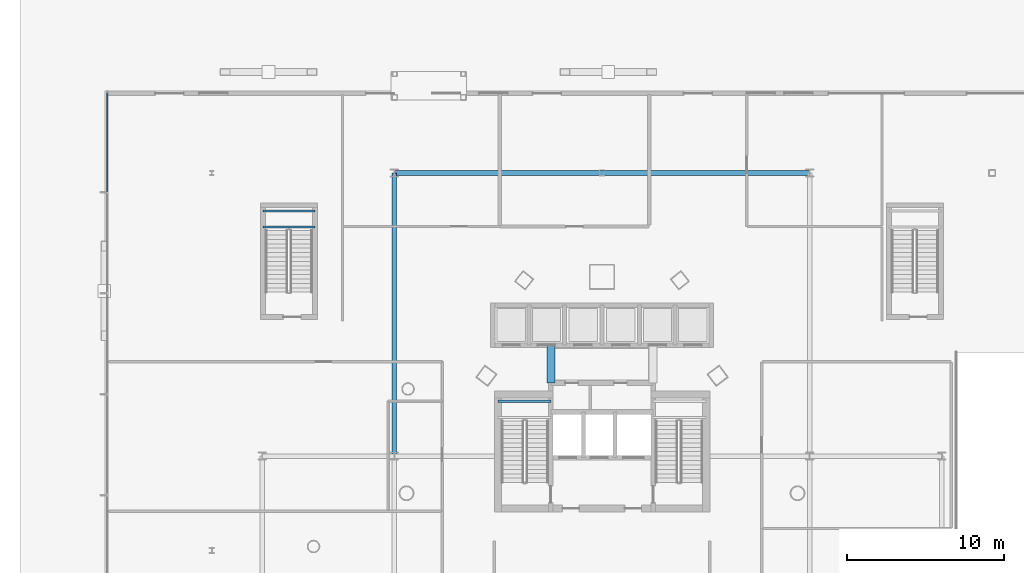
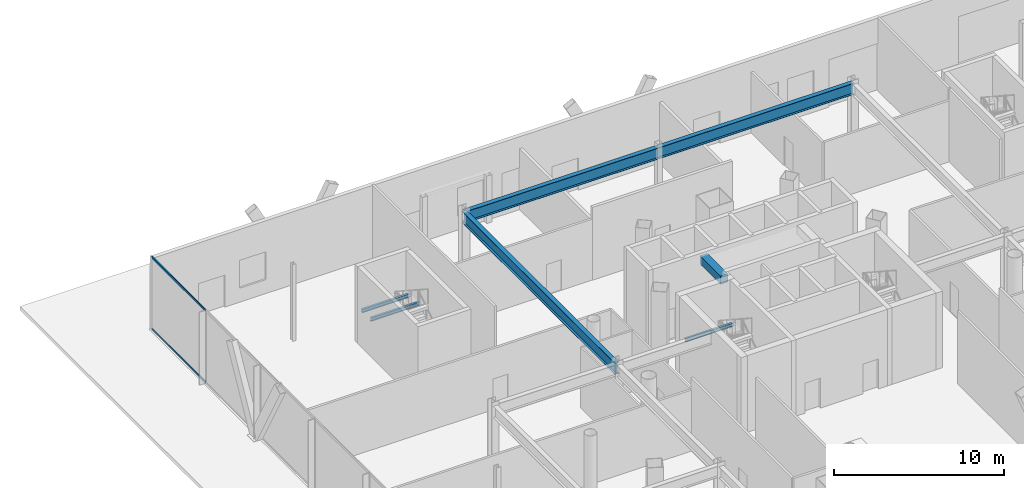
# One storey, part 19 of 38: 6 beams, 2 members, 1 element without a shape of its own.
"""IFC4 building model written with IfcOpenShell, lengths in metres."""

import ifcopenshell
import ifcopenshell.guid

model = None  # the IFC model being written
_history = None  # IfcOwnerHistory: only IFC2X3 demands one
_inside = {}  # id of a spatial element -> (the spatial element, [elements in it])
_under = {}  # id of a project, library or spatial element -> (it, [spatial elements below it])
_declared = {}  # id of a project -> (the project, [libraries it declares])
_typed = {}  # id of a type object -> (the type object, [elements of that type])
_made_of = {}  # id of a material, layer set ... -> (it, [elements and type objects made of it])


def new_model(schema):
    """Start an empty IFC model of exactly this schema.

    Asked for "IFC4X3", IfcOpenShell would pick the latest addendum, in which some entities
    have other attributes; the version numbers below select the first issue.
    IFC2X3 requires an IfcOwnerHistory on every rooted entity: one is made here for all.
    """
    global model, _history
    if schema == "IFC4X3":
        model = ifcopenshell.file(schema_version=(4, 3, 0, 0))
    else:
        model = ifcopenshell.file(schema=schema)
    _inside.clear()
    _under.clear()
    _declared.clear()
    _typed.clear()
    _made_of.clear()
    _history = None
    if model.schema == "IFC2X3":
        org = make("IfcOrganization", Name="unknown")
        user = make(
            "IfcPersonAndOrganization",
            ThePerson=make("IfcPerson", FamilyName="unknown"),
            TheOrganization=org,
        )
        app = make(
            "IfcApplication",
            ApplicationDeveloper=org,
            Version="unknown",
            ApplicationFullName="unknown",
            ApplicationIdentifier="unknown",
        )
        _history = make(
            "IfcOwnerHistory",
            OwningUser=user,
            OwningApplication=app,
            ChangeAction="ADDED",
            CreationDate=0,
        )
    return model


def make(cls, **values):
    """One entity of the class cls with the attributes given. An attribute that is None is left unset."""
    return model.create_entity(
        cls, **{name: value for name, value in values.items() if value is not None}
    )


def rooted(cls, **values):
    """An entity with a GlobalId (a new one), such as an element, a storey or a relation."""
    return make(cls, GlobalId=ifcopenshell.guid.new(), OwnerHistory=_history, **values)


def si_unit(unit_type, name, prefix=None):
    """IfcSIUnit, for example si_unit("LENGTHUNIT", "METRE", prefix="MILLI")."""
    return make("IfcSIUnit", UnitType=unit_type, Prefix=prefix, Name=name)


def assignment(units):
    """IfcUnitAssignment: the units of a project."""
    return None if units is None else make("IfcUnitAssignment", Units=units)


def point(xyz):
    """IfcCartesianPoint."""
    return None if xyz is None else make("IfcCartesianPoint", Coordinates=xyz)


def direction(xyz):
    """IfcDirection."""
    return None if xyz is None else make("IfcDirection", DirectionRatios=xyz)


def frame(location, z_axis=None, x_axis=None):
    """IfcAxis2Placement3D, a coordinate frame: its origin and axes. An axis left out is left unset."""
    return make(
        "IfcAxis2Placement3D",
        Location=point(location),
        Axis=direction(z_axis),
        RefDirection=direction(x_axis),
    )


def frame_2d(location, x_axis=None):
    """IfcAxis2Placement2D, a coordinate frame in the plane: its origin and x axis."""
    return make(
        "IfcAxis2Placement2D", Location=point(location), RefDirection=direction(x_axis)
    )


def origin():
    """The frame at (0, 0, 0) with its axes left unset."""
    return frame((0.0, 0.0, 0.0))


def origin_2d():
    """The frame at (0, 0) in the plane with its x axis left unset."""
    return frame_2d((0.0, 0.0))


def place(relative_to, where):
    """IfcLocalPlacement: puts the frame where relative to a parent placement (None: the world)."""
    return make(
        "IfcLocalPlacement", PlacementRelTo=relative_to, RelativePlacement=where
    )


def context(
    kind, dimensions, precision=None, world=None, true_north=None, identifier=None
):
    """IfcGeometricRepresentationContext, for example the 3D "Model" context."""
    return make(
        "IfcGeometricRepresentationContext",
        ContextIdentifier=identifier,
        ContextType=kind,
        CoordinateSpaceDimension=dimensions,
        Precision=precision,
        WorldCoordinateSystem=world,
        TrueNorth=true_north,
    )


def subcontext(parent, identifier, kind, view, scale=None):
    """IfcGeometricRepresentationSubContext, for example "Body" below "Model"."""
    return make(
        "IfcGeometricRepresentationSubContext",
        ContextIdentifier=identifier,
        ContextType=kind,
        ParentContext=parent,
        TargetScale=scale,
        TargetView=view,
    )


def project(units=None, contexts=None):
    """IfcProject with its units and contexts."""
    return rooted(
        "IfcProject",
        Name="project",
        RepresentationContexts=contexts,
        UnitsInContext=assignment(units),
    )


def spatial(cls, under=None, at=None, **own):
    """A site, building, storey or space (cls), placed at a placement, below another one or the project."""
    s = rooted(cls, ObjectPlacement=at, **own)
    if under is not None:
        _under.setdefault(under.id(), (under, []))[1].append(s)
    return s


def profile(cls, at=None, kind="AREA", **sizes):
    """A parametric profile (cls). Its sizes go by their IFC names, for example OverallWidth=200.0."""
    return make(cls, ProfileType=kind, Position=at, **sizes)


def rectangle(**sizes):
    """IfcRectangleProfileDef."""
    return profile("IfcRectangleProfileDef", **sizes)


def hollow_rectangle(**sizes):
    """IfcRectangleHollowProfileDef."""
    return profile("IfcRectangleHollowProfileDef", **sizes)


def i_section(**sizes):
    """IfcIShapeProfileDef."""
    return profile("IfcIShapeProfileDef", **sizes)


def extrude(swept, where, along, depth):
    """IfcExtrudedAreaSolid: the profile swept, set in the frame where, extruded along a direction by depth."""
    return make(
        "IfcExtrudedAreaSolid",
        SweptArea=swept,
        Position=where,
        ExtrudedDirection=direction(along),
        Depth=depth,
    )


def shape(context_of_items, identifier, shape_type, items):
    """IfcShapeRepresentation: the items that make up one representation, for example the "Body"."""
    return make(
        "IfcShapeRepresentation",
        ContextOfItems=context_of_items,
        RepresentationIdentifier=identifier,
        RepresentationType=shape_type,
        Items=items,
    )


def material(Name=None, Category=None):
    """IfcMaterial."""
    return make("IfcMaterial", Name=Name, Category=Category)


def layer(
    of_material, thickness, ventilated=None, Name=None, Category=None, Priority=None
):
    """IfcMaterialLayer: one layer of a wall or slab, of a material (None: an air gap)."""
    return make(
        "IfcMaterialLayer",
        Material=of_material,
        LayerThickness=thickness,
        IsVentilated=ventilated,
        Name=Name,
        Category=Category,
        Priority=Priority,
    )


def layer_set(layers, Name=None):
    """IfcMaterialLayerSet."""
    return make("IfcMaterialLayerSet", MaterialLayers=layers, LayerSetName=Name)


def material_profile(
    of_material, cross_section, Name=None, Category=None, Priority=None
):
    """IfcMaterialProfile: a cross section and its material."""
    return make(
        "IfcMaterialProfile",
        Name=Name,
        Material=of_material,
        Profile=cross_section,
        Priority=Priority,
        Category=Category,
    )


def profile_set(profiles, Name=None, composite=None):
    """IfcMaterialProfileSet."""
    return make(
        "IfcMaterialProfileSet",
        Name=Name,
        MaterialProfiles=profiles,
        CompositeProfile=composite,
    )


def made_of(thing, what):
    """Note that an element or type object is made of a material, layer set ...; save() writes the relation."""
    if what is not None:
        _made_of.setdefault(what.id(), (what, []))[1].append(thing)
    return thing


def type_object(cls, material=None, **own):
    """A type object (cls), such as IfcWallType, which elements share."""
    return made_of(rooted(cls, **own), material)


def element(
    cls,
    number,
    at=None,
    inside=None,
    cuts=None,
    type_object=None,
    material=None,
    context=None,
    identifier="Body",
    shape_type=None,
    held_by="IfcProductDefinitionShape",
    body=None,
    shapes=None,
    **own,
):
    """One element of the class cls, such as IfcWall. Its Tag is "e" and its number.

    at: its placement. inside: the storey or other place that contains it. cuts: it is an
    opening in that element (IfcRelVoidsElement). A single representation is given by context,
    identifier, shape_type and body (its items); several are given by shapes. held_by: the class
    of the entity that holds the representations. save() writes the other relations.
    """
    e = rooted(cls, Tag="e%d" % number, ObjectPlacement=at, **own)
    if body is not None:
        shapes = [shape(context, identifier, shape_type, body)]
    if shapes is not None:
        e.Representation = make(held_by, Representations=shapes)
    if inside is not None:
        _inside.setdefault(inside.id(), (inside, []))[1].append(e)
    if cuts is not None:
        rooted(
            "IfcRelVoidsElement", RelatingBuildingElement=cuts, RelatedOpeningElement=e
        )
    if type_object is not None:
        _typed.setdefault(type_object.id(), (type_object, []))[1].append(e)
    return made_of(e, material)


def aggregate(whole, parts):
    """IfcRelAggregates: a whole, such as a stair, and the parts it consists of."""
    return rooted("IfcRelAggregates", RelatingObject=whole, RelatedObjects=parts)


def save(model, path):
    """Write the relations noted so far, then the file.

    IfcRelAggregates (storeys below a building ...), IfcRelContainedInSpatialStructure (elements
    in a storey), IfcRelDefinesByType, IfcRelAssociatesMaterial and IfcRelDeclares: one each for
    every whole, place, type object, material and project.
    """
    for whole, parts in _under.values():
        aggregate(whole, parts)
    for where, things in _inside.values():
        rooted(
            "IfcRelContainedInSpatialStructure",
            RelatedElements=things,
            RelatingStructure=where,
        )
    for kind, things in _typed.values():
        rooted("IfcRelDefinesByType", RelatedObjects=things, RelatingType=kind)
    for what, things in _made_of.values():
        rooted("IfcRelAssociatesMaterial", RelatedObjects=things, RelatingMaterial=what)
    for by, libraries in _declared.values():
        rooted("IfcRelDeclares", RelatingContext=by, RelatedDefinitions=libraries)
    model.write(path)


model = new_model("IFC4")

# Units and contexts
model_context = context("Model", 3, precision=1e-05, world=origin(), true_north=direction((0.0, 1.0)))
body_context = subcontext(model_context, "Body", "Model", "MODEL_VIEW")
ifc_project = project(units=[si_unit("LENGTHUNIT", "METRE"), si_unit("AREAUNIT", "SQUARE_METRE"), si_unit("VOLUMEUNIT", "CUBIC_METRE"), si_unit("PLANEANGLEUNIT", "RADIAN"), si_unit("MASSUNIT", "GRAM", prefix="KILO")], contexts=[model_context])

# Site, building, storey
site_placement = place(None, origin())
site = spatial("IfcSite", under=ifc_project, at=site_placement, CompositionType="ELEMENT")
building_placement = place(site_placement, origin())
building = spatial("IfcBuilding", under=site, at=building_placement, Name="Orvanel Arch Residences", CompositionType="ELEMENT")
storey_placement = place(building_placement, origin())
storey = spatial("IfcBuildingStorey", under=building, at=storey_placement, Name="L00", CompositionType="ELEMENT", Elevation=0.0)

# Beams
ifc_material_1 = material(Name="Structural steel AS/NZS 3678 Grade 350", Category="steel")
ifc_material_profile_1 = material_profile(ifc_material_1, i_section(OverallWidth=0.300048828125, OverallDepth=0.81591796875, WebThickness=0.013916015625, FlangeThickness=0.02392578125, at=origin_2d()), Name="800WB192")
ifc_profile_set_1 = profile_set([ifc_material_profile_1], Name="Structural steel AS/NZS 3678 Grade 350")
beam_type_1 = type_object("IfcBeamType", Name="BG-800WB", PredefinedType="BEAM", material=ifc_profile_set_1)
beam_1_placement = place(storey_placement, frame((19.800048828125, 48.0, 4.81201171875), z_axis=(1.0, 0.0, 0.0), x_axis=(0.0, 1.0, 0.0)))
element("IfcBeam", 1, at=beam_1_placement, inside=storey, type_object=beam_type_1, Name="L00 BG-800WB beam", PredefinedType="BEAM", context=body_context, shape_type="SweptSolid", body=[
    extrude(i_section(OverallWidth=0.300048828125, OverallDepth=0.81591796875, WebThickness=0.013916015625, FlangeThickness=0.02392578125, at=origin_2d()), origin(), (0.0, 0.0, 1.0), 26.39990234375),
])
beam_2_placement = place(storey_placement, frame((19.800048828125, 30.0, 4.81201171875), z_axis=(0.0, 1.0, 0.0), x_axis=(-1.0, 0.0, 0.0)))
element("IfcBeam", 2, at=beam_2_placement, inside=storey, type_object=beam_type_1, Name="L00 North-South Podium Girder XW20-N", PredefinedType="BEAM", context=body_context, shape_type="SweptSolid", body=[
    extrude(i_section(OverallWidth=0.300048828125, OverallDepth=0.81591796875, WebThickness=0.013916015625, FlangeThickness=0.02392578125, at=origin_2d()), origin(), (0.0, 0.0, 1.0), 18.0),
])
ifc_material_2 = material(Name="Structural steel AS/NZS 3679.1 Grade 300 (300 MPa)", Category="steel")
ifc_material_profile_2 = material_profile(ifc_material_2, i_section(OverallWidth=0.14599609375, OverallDepth=0.251953125, WebThickness=0.006103515625, FlangeThickness=0.008544921875, at=origin_2d()), Name="250UB31.4")
ifc_profile_set_2 = profile_set([ifc_material_profile_2], Name="Structural steel AS/NZS 3679.1 Grade 300 (300 MPa)")
beam_type_2 = type_object("IfcBeamType", Name="BJ-250UB", PredefinedType="JOIST", material=ifc_profile_set_2)
beam_3_placement = place(storey_placement, frame((26.39990234375, 33.47998046875, 2.424072265625), z_axis=(1.0, 0.0, 0.0), x_axis=(0.0, 1.0, 0.0)))
element("IfcBeam", 3, at=beam_3_placement, inside=storey, type_object=beam_type_2, Name="L00 ST-1 Half-Landing Support Beam 1.2", PredefinedType="JOIST", context=body_context, shape_type="SweptSolid", body=[
    extrude(i_section(OverallWidth=0.14599609375, OverallDepth=0.251953125, WebThickness=0.006103515625, FlangeThickness=0.008544921875, at=origin_2d()), origin(), (0.0, 0.0, 1.0), 3.35009765625),
])
for number, where, z_axis, x_axis, name in (
    (4, (11.449951171875, 44.56005859375, 2.424072265625), (1.0, 0.0, 0.0), (0.0, 1.0, 0.0), "L00 ST-3 Half-Landing Support Beam 1.1"),
    (5, (11.449951171875, 45.580078125, 2.424072265625), (1.0, 0.0, 0.0), (0.0, 1.0, 0.0), "L00 ST-3 Half-Landing Support Beam 1.2"),
):
    element("IfcBeam", number, at=place(storey_placement, frame(where, z_axis=z_axis, x_axis=x_axis)), inside=storey, type_object=beam_type_2, Name=name, PredefinedType="JOIST", context=body_context, shape_type="SweptSolid", body=[
        extrude(i_section(OverallWidth=0.14599609375, OverallDepth=0.251953125, WebThickness=0.006103515625, FlangeThickness=0.008544921875, at=origin_2d()), origin(), (0.0, 0.0, 1.0), 3.300048828125),
    ])
ifc_material_3 = material(Name="Concrete S65 (65 MPa)", Category="concrete")
ifc_material_profile_3 = material_profile(ifc_material_3, rectangle(XDim=0.5, YDim=0.60009765625, at=origin_2d()), Name="RC500x600")
ifc_profile_set_3 = profile_set([ifc_material_profile_3], Name="Concrete S65 (65 MPa)")
beam_type_3 = type_object("IfcBeamType", Name="CB-500x600", PredefinedType="LINTEL", material=ifc_profile_set_3)
beam_4_placement = place(storey_placement, frame((29.75, 34.64990234375, 4.919921875), z_axis=(0.0, 1.0, 0.0), x_axis=(-1.0, 0.0, 0.0)))
element("IfcBeam", 6, at=beam_4_placement, inside=storey, type_object=beam_type_3, Name="L00 West Core Lobby Coupling Lintel Beam", PredefinedType="LINTEL", context=body_context, shape_type="SweptSolid", body=[
    extrude(rectangle(XDim=0.5, YDim=0.60009765625, at=origin_2d()), origin(), (0.0, 0.0, 1.0), 2.400146484375),
])

# Curtain wall, members
ifc_material_4 = material(Name="Bronze-anodised aluminium AA6063-T6", Category="aluminium")
ifc_layer = layer(ifc_material_4, 0.199951171875)
ifc_layer_set = layer_set([ifc_layer], Name="Bronze-anodised aluminium AA6063-T6")
curtain_wall_type = type_object("IfcCurtainWallType", Name="CW1-POD-SYS", PredefinedType="NOTDEFINED", material=ifc_layer_set)
curtain_wall_placement = place(storey_placement, origin())
curtain_wall = element("IfcCurtainWall", 7, at=curtain_wall_placement, inside=storey, type_object=curtain_wall_type, Name="L00 CW1-POD-SYS Unitised Curtain Wall", PredefinedType="NOTDEFINED")
ifc_material_profile_4 = material_profile(ifc_material_4, hollow_rectangle(XDim=0.06494140625, YDim=0.14990234375, WallThickness=0.00390625, at=origin_2d()), Name="ALU150x65x4")
ifc_profile_set_4 = profile_set([ifc_material_profile_4], Name="Bronze-anodised aluminium AA6063-T6")
member_type = type_object("IfcMemberType", Name="TRN-150x65", PredefinedType="USERDEFINED", material=ifc_profile_set_4)
member_1_placement = place(storey_placement, frame((1.550048828125, 53.10498046875, 0.032470703125), z_axis=(0.0, -1.0, 0.0), x_axis=(1.0, 0.0, 0.0)))
member_1 = element("IfcMember", 8, at=member_1_placement, type_object=member_type, Name="CW-S1 transom 1.1", ObjectType="TRANSOM", PredefinedType="USERDEFINED", context=body_context, shape_type="SweptSolid", body=[
    extrude(hollow_rectangle(XDim=0.06494140625, YDim=0.14990234375, WallThickness=0.00390625, at=origin_2d()), origin(), (0.0, 0.0, 1.0), 6.30126953125),
])
member_2_placement = place(storey_placement, frame((1.550048828125, 53.10498046875, 5.1875), z_axis=(0.0, -1.0, 0.0), x_axis=(1.0, 0.0, 0.0)))
member_2 = element("IfcMember", 9, at=member_2_placement, type_object=member_type, Name="CW-S1 transom 1.2", ObjectType="TRANSOM", PredefinedType="USERDEFINED", context=body_context, shape_type="SweptSolid", body=[
    extrude(hollow_rectangle(XDim=0.06494140625, YDim=0.14990234375, WallThickness=0.00390625, at=origin_2d()), origin(), (0.0, 0.0, 1.0), 6.30126953125),
])
aggregate(curtain_wall, [member_1, member_2])

save(model, "model.ifc")
